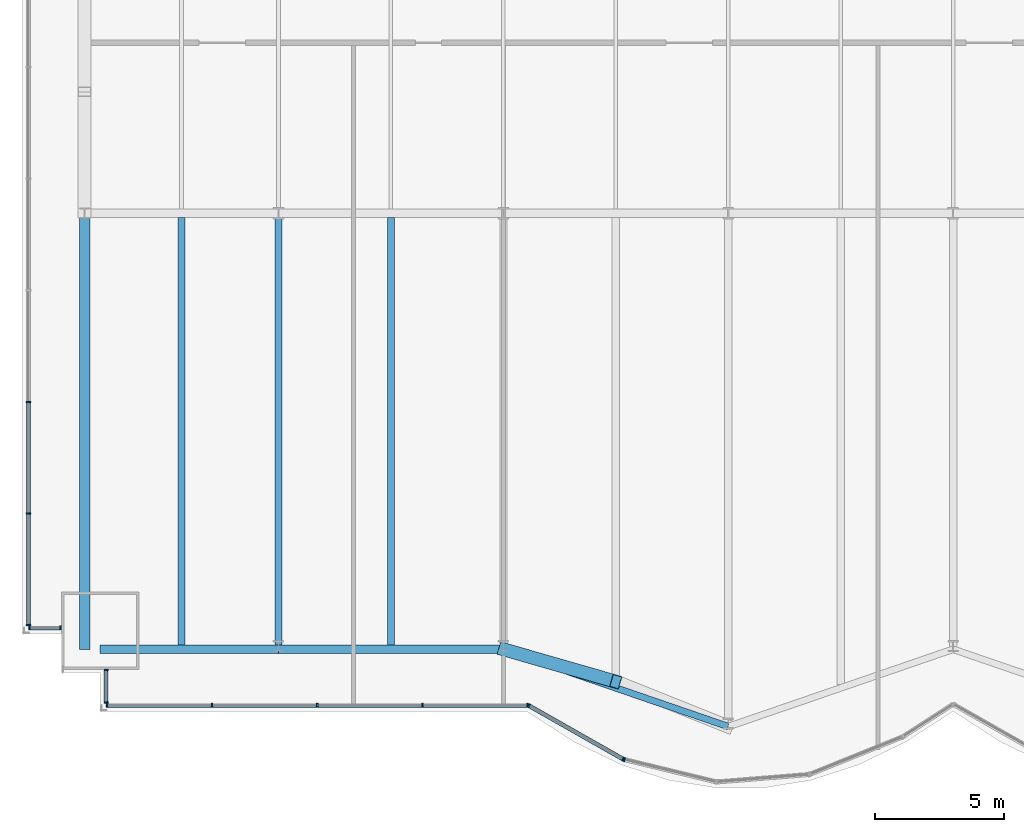
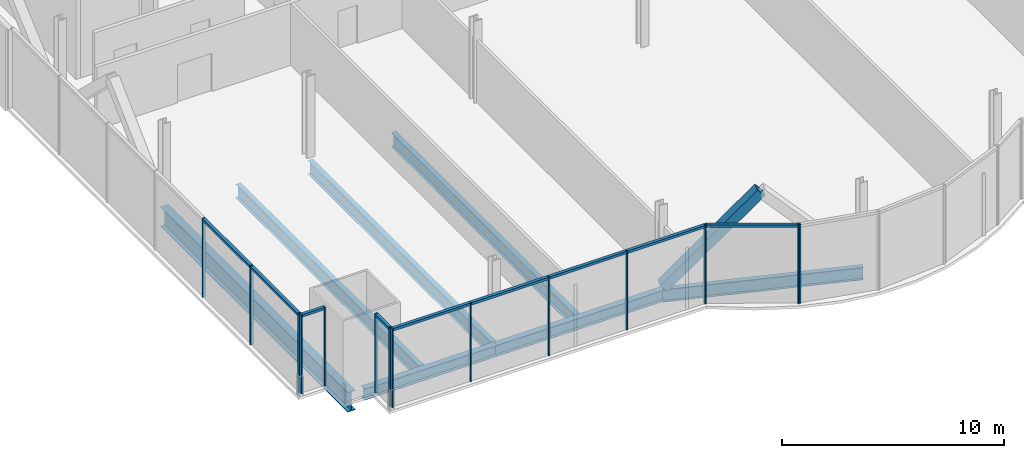
# One storey, part 4 of 21: 25 members, 7 beams, 5 elements without a shape of their own.
"""IFC4 building model written with IfcOpenShell, lengths in metres."""

import ifcopenshell
import ifcopenshell.guid

model = None  # the IFC model being written
_history = None  # IfcOwnerHistory: only IFC2X3 demands one
_inside = {}  # id of a spatial element -> (the spatial element, [elements in it])
_under = {}  # id of a project, library or spatial element -> (it, [spatial elements below it])
_declared = {}  # id of a project -> (the project, [libraries it declares])
_typed = {}  # id of a type object -> (the type object, [elements of that type])
_made_of = {}  # id of a material, layer set ... -> (it, [elements and type objects made of it])


def new_model(schema):
    """Start an empty IFC model of exactly this schema.

    Asked for "IFC4X3", IfcOpenShell would pick the latest addendum, in which some entities
    have other attributes; the version numbers below select the first issue.
    IFC2X3 requires an IfcOwnerHistory on every rooted entity: one is made here for all.
    """
    global model, _history
    if schema == "IFC4X3":
        model = ifcopenshell.file(schema_version=(4, 3, 0, 0))
    else:
        model = ifcopenshell.file(schema=schema)
    _inside.clear()
    _under.clear()
    _declared.clear()
    _typed.clear()
    _made_of.clear()
    _history = None
    if model.schema == "IFC2X3":
        org = make("IfcOrganization", Name="unknown")
        user = make(
            "IfcPersonAndOrganization",
            ThePerson=make("IfcPerson", FamilyName="unknown"),
            TheOrganization=org,
        )
        app = make(
            "IfcApplication",
            ApplicationDeveloper=org,
            Version="unknown",
            ApplicationFullName="unknown",
            ApplicationIdentifier="unknown",
        )
        _history = make(
            "IfcOwnerHistory",
            OwningUser=user,
            OwningApplication=app,
            ChangeAction="ADDED",
            CreationDate=0,
        )
    return model


def make(cls, **values):
    """One entity of the class cls with the attributes given. An attribute that is None is left unset."""
    return model.create_entity(
        cls, **{name: value for name, value in values.items() if value is not None}
    )


def rooted(cls, **values):
    """An entity with a GlobalId (a new one), such as an element, a storey or a relation."""
    return make(cls, GlobalId=ifcopenshell.guid.new(), OwnerHistory=_history, **values)


def si_unit(unit_type, name, prefix=None):
    """IfcSIUnit, for example si_unit("LENGTHUNIT", "METRE", prefix="MILLI")."""
    return make("IfcSIUnit", UnitType=unit_type, Prefix=prefix, Name=name)


def assignment(units):
    """IfcUnitAssignment: the units of a project."""
    return None if units is None else make("IfcUnitAssignment", Units=units)


def point(xyz):
    """IfcCartesianPoint."""
    return None if xyz is None else make("IfcCartesianPoint", Coordinates=xyz)


def direction(xyz):
    """IfcDirection."""
    return None if xyz is None else make("IfcDirection", DirectionRatios=xyz)


def frame(location, z_axis=None, x_axis=None):
    """IfcAxis2Placement3D, a coordinate frame: its origin and axes. An axis left out is left unset."""
    return make(
        "IfcAxis2Placement3D",
        Location=point(location),
        Axis=direction(z_axis),
        RefDirection=direction(x_axis),
    )


def frame_2d(location, x_axis=None):
    """IfcAxis2Placement2D, a coordinate frame in the plane: its origin and x axis."""
    return make(
        "IfcAxis2Placement2D", Location=point(location), RefDirection=direction(x_axis)
    )


def origin():
    """The frame at (0, 0, 0) with its axes left unset."""
    return frame((0.0, 0.0, 0.0))


def origin_2d():
    """The frame at (0, 0) in the plane with its x axis left unset."""
    return frame_2d((0.0, 0.0))


def place(relative_to, where):
    """IfcLocalPlacement: puts the frame where relative to a parent placement (None: the world)."""
    return make(
        "IfcLocalPlacement", PlacementRelTo=relative_to, RelativePlacement=where
    )


def context(
    kind, dimensions, precision=None, world=None, true_north=None, identifier=None
):
    """IfcGeometricRepresentationContext, for example the 3D "Model" context."""
    return make(
        "IfcGeometricRepresentationContext",
        ContextIdentifier=identifier,
        ContextType=kind,
        CoordinateSpaceDimension=dimensions,
        Precision=precision,
        WorldCoordinateSystem=world,
        TrueNorth=true_north,
    )


def subcontext(parent, identifier, kind, view, scale=None):
    """IfcGeometricRepresentationSubContext, for example "Body" below "Model"."""
    return make(
        "IfcGeometricRepresentationSubContext",
        ContextIdentifier=identifier,
        ContextType=kind,
        ParentContext=parent,
        TargetScale=scale,
        TargetView=view,
    )


def project(units=None, contexts=None):
    """IfcProject with its units and contexts."""
    return rooted(
        "IfcProject",
        Name="project",
        RepresentationContexts=contexts,
        UnitsInContext=assignment(units),
    )


def spatial(cls, under=None, at=None, **own):
    """A site, building, storey or space (cls), placed at a placement, below another one or the project."""
    s = rooted(cls, ObjectPlacement=at, **own)
    if under is not None:
        _under.setdefault(under.id(), (under, []))[1].append(s)
    return s


def profile(cls, at=None, kind="AREA", **sizes):
    """A parametric profile (cls). Its sizes go by their IFC names, for example OverallWidth=200.0."""
    return make(cls, ProfileType=kind, Position=at, **sizes)


def rectangle(**sizes):
    """IfcRectangleProfileDef."""
    return profile("IfcRectangleProfileDef", **sizes)


def hollow_rectangle(**sizes):
    """IfcRectangleHollowProfileDef."""
    return profile("IfcRectangleHollowProfileDef", **sizes)


def i_section(**sizes):
    """IfcIShapeProfileDef."""
    return profile("IfcIShapeProfileDef", **sizes)


def extrude(swept, where, along, depth):
    """IfcExtrudedAreaSolid: the profile swept, set in the frame where, extruded along a direction by depth."""
    return make(
        "IfcExtrudedAreaSolid",
        SweptArea=swept,
        Position=where,
        ExtrudedDirection=direction(along),
        Depth=depth,
    )


def shape(context_of_items, identifier, shape_type, items):
    """IfcShapeRepresentation: the items that make up one representation, for example the "Body"."""
    return make(
        "IfcShapeRepresentation",
        ContextOfItems=context_of_items,
        RepresentationIdentifier=identifier,
        RepresentationType=shape_type,
        Items=items,
    )


def material(Name=None, Category=None):
    """IfcMaterial."""
    return make("IfcMaterial", Name=Name, Category=Category)


def material_profile(
    of_material, cross_section, Name=None, Category=None, Priority=None
):
    """IfcMaterialProfile: a cross section and its material."""
    return make(
        "IfcMaterialProfile",
        Name=Name,
        Material=of_material,
        Profile=cross_section,
        Priority=Priority,
        Category=Category,
    )


def profile_set(profiles, Name=None, composite=None):
    """IfcMaterialProfileSet."""
    return make(
        "IfcMaterialProfileSet",
        Name=Name,
        MaterialProfiles=profiles,
        CompositeProfile=composite,
    )


def made_of(thing, what):
    """Note that an element or type object is made of a material, layer set ...; save() writes the relation."""
    if what is not None:
        _made_of.setdefault(what.id(), (what, []))[1].append(thing)
    return thing


def type_object(cls, material=None, **own):
    """A type object (cls), such as IfcWallType, which elements share."""
    return made_of(rooted(cls, **own), material)


def element(
    cls,
    number,
    at=None,
    inside=None,
    cuts=None,
    type_object=None,
    material=None,
    context=None,
    identifier="Body",
    shape_type=None,
    held_by="IfcProductDefinitionShape",
    body=None,
    shapes=None,
    **own,
):
    """One element of the class cls, such as IfcWall. Its Tag is "e" and its number.

    at: its placement. inside: the storey or other place that contains it. cuts: it is an
    opening in that element (IfcRelVoidsElement). A single representation is given by context,
    identifier, shape_type and body (its items); several are given by shapes. held_by: the class
    of the entity that holds the representations. save() writes the other relations.
    """
    e = rooted(cls, Tag="e%d" % number, ObjectPlacement=at, **own)
    if body is not None:
        shapes = [shape(context, identifier, shape_type, body)]
    if shapes is not None:
        e.Representation = make(held_by, Representations=shapes)
    if inside is not None:
        _inside.setdefault(inside.id(), (inside, []))[1].append(e)
    if cuts is not None:
        rooted(
            "IfcRelVoidsElement", RelatingBuildingElement=cuts, RelatedOpeningElement=e
        )
    if type_object is not None:
        _typed.setdefault(type_object.id(), (type_object, []))[1].append(e)
    return made_of(e, material)


def aggregate(whole, parts):
    """IfcRelAggregates: a whole, such as a stair, and the parts it consists of."""
    return rooted("IfcRelAggregates", RelatingObject=whole, RelatedObjects=parts)


def save(model, path):
    """Write the relations noted so far, then the file.

    IfcRelAggregates (storeys below a building ...), IfcRelContainedInSpatialStructure (elements
    in a storey), IfcRelDefinesByType, IfcRelAssociatesMaterial and IfcRelDeclares: one each for
    every whole, place, type object, material and project.
    """
    for whole, parts in _under.values():
        aggregate(whole, parts)
    for where, things in _inside.values():
        rooted(
            "IfcRelContainedInSpatialStructure",
            RelatedElements=things,
            RelatingStructure=where,
        )
    for kind, things in _typed.values():
        rooted("IfcRelDefinesByType", RelatedObjects=things, RelatingType=kind)
    for what, things in _made_of.values():
        rooted("IfcRelAssociatesMaterial", RelatedObjects=things, RelatingMaterial=what)
    for by, libraries in _declared.values():
        rooted("IfcRelDeclares", RelatingContext=by, RelatedDefinitions=libraries)
    model.write(path)


model = new_model("IFC4")

# Units and contexts
model_context = context("Model", 3, precision=1e-05, world=origin(), true_north=direction((0.0, 1.0)))
body_context = subcontext(model_context, "Body", "Model", "MODEL_VIEW")
ifc_project = project(units=[si_unit("LENGTHUNIT", "METRE"), si_unit("AREAUNIT", "SQUARE_METRE"), si_unit("VOLUMEUNIT", "CUBIC_METRE"), si_unit("PLANEANGLEUNIT", "RADIAN"), si_unit("MASSUNIT", "GRAM", prefix="KILO")], contexts=[model_context])

# Site, building, storey
site_placement = place(None, origin())
site = spatial("IfcSite", under=ifc_project, at=site_placement, CompositionType="ELEMENT")
building_placement = place(site_placement, origin())
building = spatial("IfcBuilding", under=site, at=building_placement, Name="Bicima Exchange Tower", CompositionType="ELEMENT")
storey_placement = place(building_placement, frame((0.0, 0.0, 48.5)))
storey = spatial("IfcBuildingStorey", under=building, at=storey_placement, Name="L09", CompositionType="ELEMENT", Elevation=48.5)

# Curtain wall, members
ifc_material_1 = material(Name="Anodised bronze aluminium", Category="aluminium")
curtain_wall_type_1 = type_object("IfcCurtainWallType", Name="End face glass wall", PredefinedType="NOTDEFINED", material=ifc_material_1)
curtain_wall_1_placement = place(storey_placement, origin())
curtain_wall_1 = element("IfcCurtainWall", 1, at=curtain_wall_1_placement, inside=storey, type_object=curtain_wall_type_1, Name="End face glass wall L09 run 2", PredefinedType="NOTDEFINED")
ifc_material_profile_1 = material_profile(ifc_material_1, rectangle(XDim=0.159912109375, YDim=0.06005859375, at=origin_2d()))
ifc_profile_set_1 = profile_set([ifc_material_profile_1], Name="Anodised bronze aluminium")
member_type_1 = type_object("IfcMemberType", Name="End face glass wall mullion 60 x 160", PredefinedType="MULLION", material=ifc_profile_set_1)
member_1_placement = place(storey_placement, frame((-35.77001953125, -29.29541015625, 0.0), z_axis=(0.0, 0.0, 1.0), x_axis=(1.0, 0.0, 0.0)))
member_1 = element("IfcMember", 2, at=member_1_placement, type_object=member_type_1, Name="End face glass wall mullion 5", PredefinedType="MULLION", context=body_context, shape_type="SweptSolid", body=[
    extrude(rectangle(XDim=0.159912109375, YDim=0.06005859375, at=origin_2d()), origin(), (0.0, 0.0, 1.0), 4.35009765625),
])
member_2_placement = place(storey_placement, frame((-35.77001953125, -33.61181640625, 0.0), z_axis=(0.0, 0.0, 1.0), x_axis=(1.0, 0.0, 0.0)))
member_2 = element("IfcMember", 3, at=member_2_placement, type_object=member_type_1, Name="End face glass wall mullion 6", PredefinedType="MULLION", context=body_context, shape_type="SweptSolid", body=[
    extrude(rectangle(XDim=0.159912109375, YDim=0.06005859375, at=origin_2d()), origin(), (0.0, 0.0, 1.0), 4.35009765625),
])
member_3_placement = place(storey_placement, frame((-35.77001953125, -37.927978515625, 0.0), z_axis=(0.0, 0.0, 1.0), x_axis=(1.0, 0.0, 0.0)))
member_3 = element("IfcMember", 4, at=member_3_placement, type_object=member_type_1, Name="End face glass wall mullion 7", PredefinedType="MULLION", context=body_context, shape_type="SweptSolid", body=[
    extrude(rectangle(XDim=0.159912109375, YDim=0.06005859375, at=origin_2d()), origin(), (0.0, 0.0, 1.0), 4.35009765625),
])
ifc_material_profile_2 = material_profile(ifc_material_1, rectangle(XDim=0.159912109375, YDim=0.139892578125, at=origin_2d()))
ifc_profile_set_2 = profile_set([ifc_material_profile_2], Name="Anodised bronze aluminium")
member_type_2 = type_object("IfcMemberType", Name="End face glass wall transom 140 x 160", PredefinedType="USERDEFINED", material=ifc_profile_set_2)
member_4_placement = place(storey_placement, frame((-35.77001953125, -29.3251953125, 4.280029296875), z_axis=(0.0, -1.0, 0.0), x_axis=(1.0, 0.0, 0.0)))
member_4 = element("IfcMember", 5, at=member_4_placement, type_object=member_type_2, Name="End face glass wall transom 5.1", ObjectType="TRANSOM", PredefinedType="USERDEFINED", context=body_context, shape_type="SweptSolid", body=[
    extrude(rectangle(XDim=0.159912109375, YDim=0.139892578125, at=origin_2d()), origin(), (0.0, 0.0, 1.0), 4.256591796875),
])
member_5_placement = place(storey_placement, frame((-35.77001953125, -33.6416015625, 4.280029296875), z_axis=(0.0, -1.0, 0.0), x_axis=(1.0, 0.0, 0.0)))
member_5 = element("IfcMember", 6, at=member_5_placement, type_object=member_type_2, Name="End face glass wall transom 6.1", ObjectType="TRANSOM", PredefinedType="USERDEFINED", context=body_context, shape_type="SweptSolid", body=[
    extrude(rectangle(XDim=0.159912109375, YDim=0.139892578125, at=origin_2d()), origin(), (0.0, 0.0, 1.0), 4.25634765625),
])
aggregate(curtain_wall_1, [member_1, member_2, member_3, member_4, member_5])

# Beams
ifc_material_2 = material(Name="Steel ASTM A992 Gr 50", Category="steel")
ifc_material_profile_3 = material_profile(ifc_material_2, i_section(OverallWidth=0.4013671875, OverallDepth=1.089599609375, WebThickness=0.01806640625, FlangeThickness=0.031005859375, at=origin_2d()))
ifc_profile_set_3 = profile_set([ifc_material_profile_3], Name="Steel ASTM A992 Gr 50")
beam_type_1 = type_object("IfcBeamType", Name="End girder W44x230", PredefinedType="BEAM", material=ifc_profile_set_3)
beam_1_placement = place(storey_placement, frame((-33.60009765625, -22.0, -0.69482421875), z_axis=(0.0, -1.0, 0.0), x_axis=(1.0, 0.0, 0.0)))
element("IfcBeam", 7, at=beam_1_placement, inside=storey, type_object=beam_type_1, Name="End girder", PredefinedType="BEAM", context=body_context, shape_type="SweptSolid", body=[
    extrude(i_section(OverallWidth=0.4013671875, OverallDepth=1.089599609375, WebThickness=0.01806640625, FlangeThickness=0.031005859375, at=origin_2d()), origin(), (0.0, 0.0, 1.0), 16.867919921875),
])
ifc_material_profile_4 = material_profile(ifc_material_2, i_section(OverallWidth=0.2666015625, OverallDepth=0.75439453125, WebThickness=0.01318359375, FlangeThickness=0.01708984375, at=origin_2d()))
ifc_profile_set_4 = profile_set([ifc_material_profile_4], Name="Steel ASTM A992 Gr 50")
beam_type_2 = type_object("IfcBeamType", Name="Floor beam W30x99", PredefinedType="JOIST", material=ifc_profile_set_4)
for number, where, z_axis, x_axis, name in (
    (8, (-29.85009765625, -22.16259765625, -0.527099609375), (0.0, -1.0, 0.0), (1.0, 0.0, 0.0), "Floor beam"),
    (9, (-26.10009765625, -22.16259765625, -0.527099609375), (0.0, -1.0, 0.0), (1.0, 0.0, 0.0), "Floor beam"),
    (10, (-21.75, -22.16259765625, -0.527099609375), (0.0, -1.0, 0.0), (1.0, 0.0, 0.0), "Floor beam"),
):
    element("IfcBeam", number, at=place(storey_placement, frame(where, z_axis=z_axis, x_axis=x_axis)), inside=storey, type_object=beam_type_2, Name=name, PredefinedType="JOIST", context=body_context, shape_type="SweptSolid", body=[
        extrude(i_section(OverallWidth=0.2666015625, OverallDepth=0.75439453125, WebThickness=0.01318359375, FlangeThickness=0.01708984375, at=origin_2d()), origin(), (0.0, 0.0, 1.0), 16.542724609375),
    ])
ifc_material_profile_5 = material_profile(ifc_material_2, i_section(OverallWidth=0.3251953125, OverallDepth=0.612060546875, WebThickness=0.0126953125, FlangeThickness=0.01904296875, at=origin_2d()))
ifc_profile_set_5 = profile_set([ifc_material_profile_5], Name="Steel ASTM A992 Gr 50")
beam_type_3 = type_object("IfcBeamType", Name="Front girder W24x104", PredefinedType="BEAM", material=ifc_profile_set_5)
beam_2_placement = place(storey_placement, frame((-33.0, -38.867919921875, -0.4560546875), z_axis=(1.0, 0.0, 0.0), x_axis=(0.0, 1.0, 0.0)))
element("IfcBeam", 11, at=beam_2_placement, inside=storey, type_object=beam_type_3, Name="Front girder", PredefinedType="BEAM", context=body_context, shape_type="SweptSolid", body=[
    extrude(i_section(OverallWidth=0.3251953125, OverallDepth=0.612060546875, WebThickness=0.0126953125, FlangeThickness=0.01904296875, at=origin_2d()), origin(), (0.0, 0.0, 1.0), 6.89990234375),
])
beam_3_placement = place(storey_placement, frame((-26.10009765625, -38.867919921875, -0.4560546875), z_axis=(1.0, 0.0, 0.0), x_axis=(0.0, 1.0, 0.0)))
element("IfcBeam", 12, at=beam_3_placement, inside=storey, type_object=beam_type_3, Name="Front girder", PredefinedType="BEAM", context=body_context, shape_type="SweptSolid", body=[
    extrude(i_section(OverallWidth=0.3251953125, OverallDepth=0.612060546875, WebThickness=0.0126953125, FlangeThickness=0.01904296875, at=origin_2d()), origin(), (0.0, 0.0, 1.0), 8.7001953125),
])
ifc_material_profile_6 = material_profile(ifc_material_2, i_section(OverallWidth=0.256591796875, OverallDepth=0.693359375, WebThickness=0.014404296875, FlangeThickness=0.023681640625, at=origin_2d()))
ifc_profile_set_6 = profile_set([ifc_material_profile_6], Name="Steel ASTM A992 Gr 50")
beam_type_4 = type_object("IfcBeamType", Name="Front girder W27x114", PredefinedType="BEAM", material=ifc_profile_set_6)
beam_4_placement = place(storey_placement, frame((-17.39990234375, -38.867919921875, -0.49658203125), z_axis=(0.945666456746, -0.325138359143, 0.0), x_axis=(0.325138359143, 0.945666456746, 0.0)))
element("IfcBeam", 13, at=beam_4_placement, inside=storey, type_object=beam_type_4, Name="Front girder", PredefinedType="BEAM", context=body_context, shape_type="SweptSolid", body=[
    extrude(i_section(OverallWidth=0.256591796875, OverallDepth=0.693359375, WebThickness=0.014404296875, FlangeThickness=0.023681640625, at=origin_2d()), origin(), (0.0, 0.0, 1.0), 9.19970703125),
])

# Curtain wall, members
curtain_wall_type_2 = type_object("IfcCurtainWallType", Name="Front glass wall", PredefinedType="NOTDEFINED", material=ifc_material_1)
curtain_wall_2_placement = place(storey_placement, origin())
curtain_wall_2 = element("IfcCurtainWall", 14, at=curtain_wall_2_placement, inside=storey, type_object=curtain_wall_type_2, Name="Front glass wall L09 run 3", PredefinedType="NOTDEFINED")
member_type_3 = type_object("IfcMemberType", Name="Front glass wall mullion 60 x 160", PredefinedType="MULLION", material=ifc_profile_set_1)
member_6_placement = place(storey_placement, frame((-35.739990234375, -38.0380859375, 0.0), z_axis=(0.0, 0.0, 1.0), x_axis=(0.0, 1.0, 0.0)))
member_6 = element("IfcMember", 15, at=member_6_placement, type_object=member_type_3, Name="Front glass wall mullion 1", PredefinedType="MULLION", context=body_context, shape_type="SweptSolid", body=[
    extrude(rectangle(XDim=0.159912109375, YDim=0.06005859375, at=origin_2d()), origin(), (0.0, 0.0, 1.0), 4.35009765625),
])
member_7_placement = place(storey_placement, frame((-34.530029296875, -38.0380859375, 0.0), z_axis=(0.0, 0.0, 1.0), x_axis=(0.0, 1.0, 0.0)))
member_7 = element("IfcMember", 16, at=member_7_placement, type_object=member_type_3, Name="Front glass wall mullion 2", PredefinedType="MULLION", context=body_context, shape_type="SweptSolid", body=[
    extrude(rectangle(XDim=0.159912109375, YDim=0.06005859375, at=origin_2d()), origin(), (0.0, 0.0, 1.0), 4.35009765625),
])

curtain_wall_3_placement = place(storey_placement, origin())
curtain_wall_3 = element("IfcCurtainWall", 17, at=curtain_wall_3_placement, inside=storey, type_object=curtain_wall_type_2, Name="Front glass wall L09 run 4", PredefinedType="NOTDEFINED")
member_8_placement = place(storey_placement, frame((-32.77001953125, -39.676025390625, 0.0), z_axis=(0.0, 0.0, 1.0), x_axis=(1.0, 0.0, 0.0)))
member_8 = element("IfcMember", 18, at=member_8_placement, type_object=member_type_3, Name="Front glass wall mullion 1", PredefinedType="MULLION", context=body_context, shape_type="SweptSolid", body=[
    extrude(rectangle(XDim=0.159912109375, YDim=0.06005859375, at=origin_2d()), origin(), (0.0, 0.0, 1.0), 4.35009765625),
])
member_9_placement = place(storey_placement, frame((-32.77001953125, -40.927978515625, 0.0), z_axis=(0.0, 0.0, 1.0), x_axis=(1.0, 0.0, 0.0)))
member_9 = element("IfcMember", 19, at=member_9_placement, type_object=member_type_3, Name="Front glass wall mullion 2", PredefinedType="MULLION", context=body_context, shape_type="SweptSolid", body=[
    extrude(rectangle(XDim=0.159912109375, YDim=0.06005859375, at=origin_2d()), origin(), (0.0, 0.0, 1.0), 4.35009765625),
])

curtain_wall_4_placement = place(storey_placement, origin())
curtain_wall_4 = element("IfcCurtainWall", 20, at=curtain_wall_4_placement, inside=storey, type_object=curtain_wall_type_2, Name="Front glass wall L09 run 5", PredefinedType="NOTDEFINED")
member_10_placement = place(storey_placement, frame((-32.739990234375, -41.0380859375, 0.0), z_axis=(0.0, 0.0, 1.0), x_axis=(0.0, 1.0, 0.0)))
member_10 = element("IfcMember", 21, at=member_10_placement, type_object=member_type_3, Name="Front glass wall mullion 1", PredefinedType="MULLION", context=body_context, shape_type="SweptSolid", body=[
    extrude(rectangle(XDim=0.159912109375, YDim=0.06005859375, at=origin_2d()), origin(), (0.0, 0.0, 1.0), 4.35009765625),
])
member_11_placement = place(storey_placement, frame((-28.67041015625, -41.0380859375, 0.0), z_axis=(0.0, 0.0, 1.0), x_axis=(0.0, 1.0, 0.0)))
member_11 = element("IfcMember", 22, at=member_11_placement, type_object=member_type_3, Name="Front glass wall mullion 2", PredefinedType="MULLION", context=body_context, shape_type="SweptSolid", body=[
    extrude(rectangle(XDim=0.159912109375, YDim=0.06005859375, at=origin_2d()), origin(), (0.0, 0.0, 1.0), 4.35009765625),
])
member_12_placement = place(storey_placement, frame((-24.60107421875, -41.0380859375, 0.0), z_axis=(0.0, 0.0, 1.0), x_axis=(0.0, 1.0, 0.0)))
member_12 = element("IfcMember", 23, at=member_12_placement, type_object=member_type_3, Name="Front glass wall mullion 3", PredefinedType="MULLION", context=body_context, shape_type="SweptSolid", body=[
    extrude(rectangle(XDim=0.159912109375, YDim=0.06005859375, at=origin_2d()), origin(), (0.0, 0.0, 1.0), 4.35009765625),
])
member_13_placement = place(storey_placement, frame((-20.531494140625, -41.0380859375, 0.0), z_axis=(0.0, 0.0, 1.0), x_axis=(0.0, 1.0, 0.0)))
member_13 = element("IfcMember", 24, at=member_13_placement, type_object=member_type_3, Name="Front glass wall mullion 4", PredefinedType="MULLION", context=body_context, shape_type="SweptSolid", body=[
    extrude(rectangle(XDim=0.159912109375, YDim=0.06005859375, at=origin_2d()), origin(), (0.0, 0.0, 1.0), 4.35009765625),
])
member_14_placement = place(storey_placement, frame((-16.462158203125, -41.0380859375, 0.0), z_axis=(0.0, 0.0, 1.0), x_axis=(0.0, 1.0, 0.0)))
member_14 = element("IfcMember", 25, at=member_14_placement, type_object=member_type_3, Name="Front glass wall mullion 5", PredefinedType="MULLION", context=body_context, shape_type="SweptSolid", body=[
    extrude(rectangle(XDim=0.159912109375, YDim=0.06005859375, at=origin_2d()), origin(), (0.0, 0.0, 1.0), 4.35009765625),
])

curtain_wall_5_placement = place(storey_placement, origin())
curtain_wall_5 = element("IfcCurtainWall", 26, at=curtain_wall_5_placement, inside=storey, type_object=curtain_wall_type_2, Name="Front glass wall L09 run 6", PredefinedType="NOTDEFINED")
member_15_placement = place(storey_placement, frame((-16.406005859375, -41.052734375, 0.0), z_axis=(0.0, 0.0, 1.0), x_axis=(0.493395449343, 0.869805110681, 0.0)))
member_15 = element("IfcMember", 27, at=member_15_placement, type_object=member_type_3, Name="Front glass wall mullion 1", PredefinedType="MULLION", context=body_context, shape_type="SweptSolid", body=[
    extrude(rectangle(XDim=0.159912109375, YDim=0.06005859375, at=origin_2d()), origin(), (0.0, 0.0, 1.0), 4.35009765625),
])
member_16_placement = place(storey_placement, frame((-12.7734375, -43.11328125, 0.0), z_axis=(0.0, 0.0, 1.0), x_axis=(0.493395449343, 0.869805110681, 0.0)))
member_16 = element("IfcMember", 28, at=member_16_placement, type_object=member_type_3, Name="Front glass wall mullion 2", PredefinedType="MULLION", context=body_context, shape_type="SweptSolid", body=[
    extrude(rectangle(XDim=0.159912109375, YDim=0.06005859375, at=origin_2d()), origin(), (0.0, 0.0, 1.0), 4.35009765625),
])
member_17_placement = place(storey_placement, frame((-12.718017578125, -43.13525390625, 0.0), z_axis=(0.0, 0.0, 1.0), x_axis=(0.235681529503, 0.971830343553, 0.0)))
member_17 = element("IfcMember", 29, at=member_17_placement, type_object=member_type_3, Name="Front glass wall mullion 1", PredefinedType="MULLION", context=body_context, shape_type="SweptSolid", body=[
    extrude(rectangle(XDim=0.159912109375, YDim=0.06005859375, at=origin_2d()), origin(), (0.0, 0.0, 1.0), 4.35009765625),
])

# Member
member_type_4 = type_object("IfcMemberType", Name="Front glass wall transom 140 x 160", PredefinedType="USERDEFINED", material=ifc_profile_set_2)
member_18_placement = place(storey_placement, frame((-35.7099609375, -38.0380859375, 4.280029296875), z_axis=(1.0, 0.0, 0.0), x_axis=(0.0, 1.0, 0.0)))
member_18 = element("IfcMember", 30, at=member_18_placement, type_object=member_type_4, Name="Front glass wall transom 1.1", ObjectType="TRANSOM", PredefinedType="USERDEFINED", context=body_context, shape_type="SweptSolid", body=[
    extrude(rectangle(XDim=0.159912109375, YDim=0.139892578125, at=origin_2d()), origin(), (0.0, 0.0, 1.0), 1.14990234375),
])

aggregate(curtain_wall_2, [member_6, member_7, member_18])

member_19_placement = place(storey_placement, frame((-32.77001953125, -39.7060546875, 4.280029296875), z_axis=(0.0, -1.0, 0.0), x_axis=(1.0, 0.0, 0.0)))
member_19 = element("IfcMember", 31, at=member_19_placement, type_object=member_type_4, Name="Front glass wall transom 1.1", ObjectType="TRANSOM", PredefinedType="USERDEFINED", context=body_context, shape_type="SweptSolid", body=[
    extrude(rectangle(XDim=0.159912109375, YDim=0.139892578125, at=origin_2d()), origin(), (0.0, 0.0, 1.0), 1.19189453125),
])

aggregate(curtain_wall_3, [member_8, member_9, member_19])

member_20_placement = place(storey_placement, frame((-32.7099609375, -41.0380859375, 4.280029296875), z_axis=(1.0, 0.0, 0.0), x_axis=(0.0, 1.0, 0.0)))
member_20 = element("IfcMember", 32, at=member_20_placement, type_object=member_type_4, Name="Front glass wall transom 1.1", ObjectType="TRANSOM", PredefinedType="USERDEFINED", context=body_context, shape_type="SweptSolid", body=[
    extrude(rectangle(XDim=0.159912109375, YDim=0.139892578125, at=origin_2d()), origin(), (0.0, 0.0, 1.0), 4.009521484375),
])

member_21_placement = place(storey_placement, frame((-28.640380859375, -41.0380859375, 4.280029296875), z_axis=(1.0, 0.0, 0.0), x_axis=(0.0, 1.0, 0.0)))
member_21 = element("IfcMember", 33, at=member_21_placement, type_object=member_type_4, Name="Front glass wall transom 2.1", ObjectType="TRANSOM", PredefinedType="USERDEFINED", context=body_context, shape_type="SweptSolid", body=[
    extrude(rectangle(XDim=0.159912109375, YDim=0.139892578125, at=origin_2d()), origin(), (0.0, 0.0, 1.0), 4.00927734375),
])

member_22_placement = place(storey_placement, frame((-24.571044921875, -41.0380859375, 4.280029296875), z_axis=(1.0, 0.0, 0.0), x_axis=(0.0, 1.0, 0.0)))
member_22 = element("IfcMember", 34, at=member_22_placement, type_object=member_type_4, Name="Front glass wall transom 3.1", ObjectType="TRANSOM", PredefinedType="USERDEFINED", context=body_context, shape_type="SweptSolid", body=[
    extrude(rectangle(XDim=0.159912109375, YDim=0.139892578125, at=origin_2d()), origin(), (0.0, 0.0, 1.0), 4.009521484375),
])

member_23_placement = place(storey_placement, frame((-20.501708984375, -41.0380859375, 4.280029296875), z_axis=(1.0, 0.0, 0.0), x_axis=(0.0, 1.0, 0.0)))
member_23 = element("IfcMember", 35, at=member_23_placement, type_object=member_type_4, Name="Front glass wall transom 4.1", ObjectType="TRANSOM", PredefinedType="USERDEFINED", context=body_context, shape_type="SweptSolid", body=[
    extrude(rectangle(XDim=0.159912109375, YDim=0.139892578125, at=origin_2d()), origin(), (0.0, 0.0, 1.0), 4.009521484375),
])

aggregate(curtain_wall_4, [member_10, member_11, member_12, member_13, member_14, member_20, member_21, member_22, member_23])

member_24_placement = place(storey_placement, frame((-16.3798828125, -41.067626953125, 4.280029296875), z_axis=(0.869797371721, -0.49340909208, 0.0), x_axis=(0.49340909208, 0.869797371721, 0.0)))
member_24 = element("IfcMember", 36, at=member_24_placement, type_object=member_type_4, Name="Front glass wall transom 1.1", ObjectType="TRANSOM", PredefinedType="USERDEFINED", context=body_context, shape_type="SweptSolid", body=[
    extrude(rectangle(XDim=0.159912109375, YDim=0.139892578125, at=origin_2d()), origin(), (0.0, 0.0, 1.0), 4.1162109375),
])

aggregate(curtain_wall_5, [member_15, member_16, member_24, member_17])

ifc_material_3 = material(Name="Steel ASTM A572 Gr 50", Category="steel")
ifc_material_profile_7 = material_profile(ifc_material_3, hollow_rectangle(XDim=0.508056640625, YDim=0.508056640625, WallThickness=0.017822265625, at=origin_2d()))
ifc_profile_set_7 = profile_set([ifc_material_profile_7], Name="Steel ASTM A572 Gr 50")
member_type_5 = type_object("IfcMemberType", Name="Mega brace HSS20x20x3/4", PredefinedType="BRACE", material=ifc_profile_set_7)
member_25_placement = place(storey_placement, frame((-17.39990234375, -38.867919921875, 0.0), z_axis=(0.681519101026, -0.196074923492, 0.705043501718), x_axis=(0.27648739579, 0.961017544049, 0.0)))
element("IfcMember", 37, at=member_25_placement, inside=storey, type_object=member_type_5, Name="Mega brace front", PredefinedType="BRACE", context=body_context, shape_type="SweptSolid", body=[
    extrude(hollow_rectangle(XDim=0.508056640625, YDim=0.508056640625, WallThickness=0.017822265625, at=origin_2d()), origin(), (0.0, 0.0, 1.0), 6.382568359375),
])

save(model, "model.ifc")
